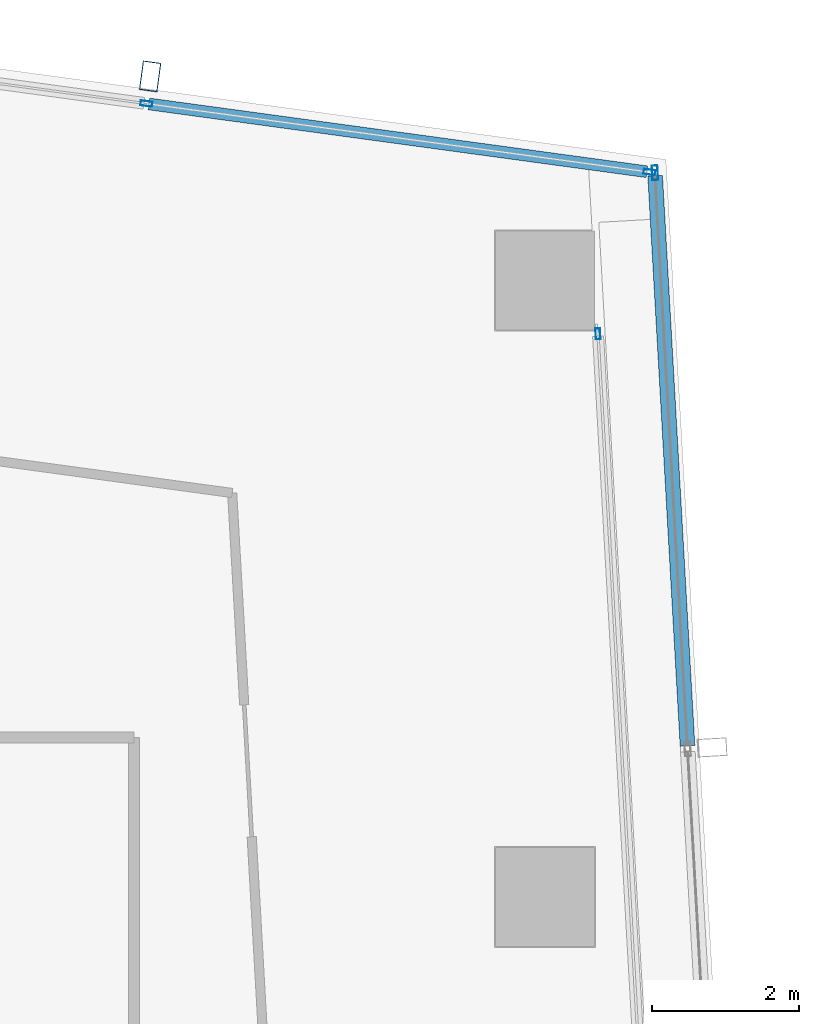
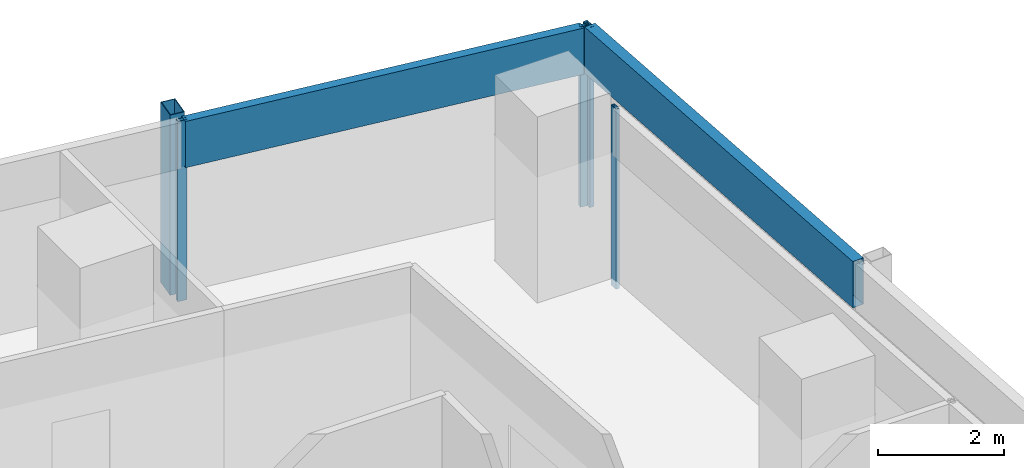
# One storey, part 24 of 38: 7 members, 3 elements without a shape of their own.
"""IFC4 building model written with IfcOpenShell, lengths in metres."""

from ifc_helpers import new_model, si_unit, direction, frame, origin, origin_2d, place, context, subcontext, project, spatial, hollow_rectangle, extrude, material, material_profile, profile_set, type_object, element, aggregate, save


model = new_model("IFC4")

# Units and contexts
model_context = context("Model", 3, precision=1e-05, world=origin(), true_north=direction((0.0, 1.0)))
body_context = subcontext(model_context, "Body", "Model", "MODEL_VIEW")
ifc_project = project(units=[si_unit("LENGTHUNIT", "METRE"), si_unit("AREAUNIT", "SQUARE_METRE"), si_unit("VOLUMEUNIT", "CUBIC_METRE"), si_unit("PLANEANGLEUNIT", "RADIAN"), si_unit("MASSUNIT", "GRAM", prefix="KILO")], contexts=[model_context])

# Site, building, storey
site_placement = place(None, origin())
site = spatial("IfcSite", under=ifc_project, at=site_placement, CompositionType="ELEMENT")
building_placement = place(site_placement, origin())
building = spatial("IfcBuilding", under=site, at=building_placement, Name="Rekha Terrace Tower", CompositionType="ELEMENT")
storey_placement = place(building_placement, frame((0.0, 0.0, 195.199951171875)))
storey = spatial("IfcBuildingStorey", under=building, at=storey_placement, Name="L49", CompositionType="ELEMENT", Elevation=195.199951171875)

# Curtain wall, member
ifc_material_1 = material(Name="Aluminium framing", Category="aluminium")
curtain_wall_type_1 = type_object("IfcCurtainWallType", Name="CW3 north unitised glazing", PredefinedType="USERDEFINED", material=ifc_material_1)
curtain_wall_1_placement = place(storey_placement, origin())
curtain_wall_1 = element("IfcCurtainWall", 1, at=curtain_wall_1_placement, inside=storey, type_object=curtain_wall_type_1, Name="CW3 unitised curtain wall", ObjectType="UNITISED CURTAIN WALL", PredefinedType="USERDEFINED")
ifc_material_2 = material(Name="Steel S355 with fluorocarbon finish", Category="steel")
ifc_material_profile_1 = material_profile(ifc_material_2, hollow_rectangle(XDim=0.25, YDim=0.39990234375, WallThickness=0.012451171875, at=origin_2d()), Name="RHS400x250x12.5")
ifc_profile_set_1 = profile_set([ifc_material_profile_1], Name="Steel S355 with fluorocarbon finish")
member_type_1 = type_object("IfcMemberType", Name="BL1 facade blade RHS 400 x 250", PredefinedType="USERDEFINED", material=ifc_profile_set_1)
member_1_placement = place(storey_placement, frame((53.419921875, 61.583251953125, 0.0), z_axis=(0.0, 0.0, 1.0), x_axis=(-0.990867309488, 0.134840553943, 0.0)))
member_1 = element("IfcMember", 2, at=member_1_placement, type_object=member_type_1, Name="Facade blade", ObjectType="FACADE BLADE", PredefinedType="USERDEFINED", context=body_context, shape_type="SweptSolid", body=[
    extrude(hollow_rectangle(XDim=0.25, YDim=0.39990234375, WallThickness=0.012451171875, at=origin_2d()), origin(), (0.0, 0.0, 1.0), 3.5),
])

curtain_wall_type_2 = type_object("IfcCurtainWallType", Name="CW1 double skin inner glazing", PredefinedType="USERDEFINED", material=ifc_material_1)
curtain_wall_2_placement = place(storey_placement, origin())
curtain_wall_2 = element("IfcCurtainWall", 3, at=curtain_wall_2_placement, inside=storey, type_object=curtain_wall_type_2, Name="CW1 double skin inner glazing", ObjectType="DOUBLE SKIN INNER GLAZING", PredefinedType="USERDEFINED")
ifc_material_3 = material(Name="Aluminium mullion section", Category="aluminium")
ifc_material_profile_2 = material_profile(ifc_material_3, hollow_rectangle(XDim=0.06494140625, YDim=0.14990234375, WallThickness=0.00390625, at=origin_2d()), Name="AL RHS 65x150")
ifc_profile_set_2 = profile_set([ifc_material_profile_2], Name="Aluminium mullion section")
member_type_2 = type_object("IfcMemberType", Name="CW1 mullion RHS 65 x 150", PredefinedType="MULLION", material=ifc_profile_set_2)
member_2_placement = place(storey_placement, frame((59.523193359375, 58.0751953125, 0.0), z_axis=(0.0, 0.0, 1.0), x_axis=(-0.998392782919, -0.05667319486, 0.0)))
member_2 = element("IfcMember", 4, at=member_2_placement, type_object=member_type_2, Name="CW1 mullion 4", PredefinedType="MULLION", context=body_context, shape_type="SweptSolid", body=[
    extrude(hollow_rectangle(XDim=0.06494140625, YDim=0.14990234375, WallThickness=0.00390625, at=origin_2d()), origin(), (0.0, 0.0, 1.0), 3.5),
])
aggregate(curtain_wall_2, [member_2])

# Curtain wall, members
curtain_wall_type_3 = type_object("IfcCurtainWallType", Name="CW2 double skin outer glazing", PredefinedType="USERDEFINED", material=ifc_material_1)
curtain_wall_3_placement = place(storey_placement, origin())
curtain_wall_3 = element("IfcCurtainWall", 5, at=curtain_wall_3_placement, inside=storey, type_object=curtain_wall_type_3, Name="CW2 double skin outer glazing", ObjectType="DOUBLE SKIN OUTER GLAZING", PredefinedType="USERDEFINED")
ifc_material_profile_3 = material_profile(ifc_material_3, hollow_rectangle(XDim=0.080078125, YDim=0.199951171875, WallThickness=0.00390625, at=origin_2d()), Name="AL RHS 80x200")
ifc_profile_set_3 = profile_set([ifc_material_profile_3], Name="Aluminium mullion section")
member_type_3 = type_object("IfcMemberType", Name="CW2 mullion RHS 80 x 200", PredefinedType="MULLION", material=ifc_profile_set_3)
member_3_placement = place(storey_placement, frame((60.300048828125, 60.269287109375, 0.0), z_axis=(0.0, 0.0, 1.0), x_axis=(-0.998392782919, -0.05667319486, 0.0)))
member_3 = element("IfcMember", 6, at=member_3_placement, type_object=member_type_3, Name="CW2 mullion 5", PredefinedType="MULLION", context=body_context, shape_type="SweptSolid", body=[
    extrude(hollow_rectangle(XDim=0.080078125, YDim=0.199951171875, WallThickness=0.00390625, at=origin_2d()), origin(), (0.0, 0.0, 1.0), 3.5),
])
ifc_material_4 = material(Name="Insulated aluminium spandrel box", Category="aluminium")
ifc_material_profile_4 = material_profile(ifc_material_4, hollow_rectangle(XDim=0.199951171875, YDim=0.89990234375, WallThickness=0.0029296875, at=origin_2d()), Name="AL SPANDREL BOX 200x900")
ifc_profile_set_4 = profile_set([ifc_material_profile_4], Name="Insulated aluminium spandrel box")
member_type_4 = type_object("IfcMemberType", Name="CW2 spandrel transom 200 x 900", PredefinedType="USERDEFINED", material=ifc_profile_set_4)
member_4_placement = place(storey_placement, frame((60.743408203125, 52.45849609375, 3.050048828125), z_axis=(-0.05667908121, 0.998392448766, 0.0), x_axis=(-0.998392448766, -0.05667908121, 0.0)))
member_4 = element("IfcMember", 7, at=member_4_placement, type_object=member_type_4, Name="CW2 spandrel transom 4", ObjectType="TRANSOM", PredefinedType="USERDEFINED", context=body_context, shape_type="SweptSolid", body=[
    extrude(hollow_rectangle(XDim=0.199951171875, YDim=0.89990234375, WallThickness=0.0029296875, at=origin_2d()), origin(), (0.0, 0.0, 1.0), 7.783447265625),
])
aggregate(curtain_wall_3, [member_3, member_4])

# Member
ifc_material_profile_5 = material_profile(ifc_material_3, hollow_rectangle(XDim=0.070068359375, YDim=0.159912109375, WallThickness=0.00390625, at=origin_2d()), Name="AL RHS 70x160")
ifc_profile_set_5 = profile_set([ifc_material_profile_5], Name="Aluminium mullion section")
member_type_5 = type_object("IfcMemberType", Name="CW3 mullion RHS 70 x 160", PredefinedType="MULLION", material=ifc_profile_set_5)
member_5_placement = place(storey_placement, frame((60.22509765625, 60.27880859375, 0.0), z_axis=(0.0, 0.0, 1.0), x_axis=(-0.134840840416, -0.990867270504, 0.0)))
member_5 = element("IfcMember", 8, at=member_5_placement, type_object=member_type_5, Name="CW3 mullion 1", PredefinedType="MULLION", context=body_context, shape_type="SweptSolid", body=[
    extrude(hollow_rectangle(XDim=0.070068359375, YDim=0.159912109375, WallThickness=0.00390625, at=origin_2d()), origin(), (0.0, 0.0, 1.0), 3.5),
])

member_6_placement = place(storey_placement, frame((53.369384765625, 61.211669921875, 0.0), z_axis=(0.0, 0.0, 1.0), x_axis=(-0.134840840416, -0.990867270504, 0.0)))
member_6 = element("IfcMember", 9, at=member_6_placement, type_object=member_type_5, Name="CW3 mullion 2", PredefinedType="MULLION", context=body_context, shape_type="SweptSolid", body=[
    extrude(hollow_rectangle(XDim=0.070068359375, YDim=0.159912109375, WallThickness=0.00390625, at=origin_2d()), origin(), (0.0, 0.0, 1.0), 3.5),
])

ifc_material_profile_6 = material_profile(ifc_material_4, hollow_rectangle(XDim=0.159912109375, YDim=0.89990234375, WallThickness=0.0029296875, at=origin_2d()), Name="AL SPANDREL BOX 160x900")
ifc_profile_set_6 = profile_set([ifc_material_profile_6], Name="Insulated aluminium spandrel box")
member_type_6 = type_object("IfcMemberType", Name="CW3 spandrel transom 160 x 900", PredefinedType="USERDEFINED", material=ifc_profile_set_6)
member_7_placement = place(storey_placement, frame((60.190185546875, 60.283447265625, 3.050048828125), z_axis=(-0.990865276141, 0.134855495022, 0.0), x_axis=(-0.134855495022, -0.990865276141, 0.0)))
member_7 = element("IfcMember", 10, at=member_7_placement, type_object=member_type_6, Name="CW3 spandrel transom 1", ObjectType="TRANSOM", PredefinedType="USERDEFINED", context=body_context, shape_type="SweptSolid", body=[
    extrude(hollow_rectangle(XDim=0.159912109375, YDim=0.89990234375, WallThickness=0.0029296875, at=origin_2d()), origin(), (0.0, 0.0, 1.0), 6.8486328125),
])

aggregate(curtain_wall_1, [member_5, member_6, member_7, member_1])

save(model, "model.ifc")
